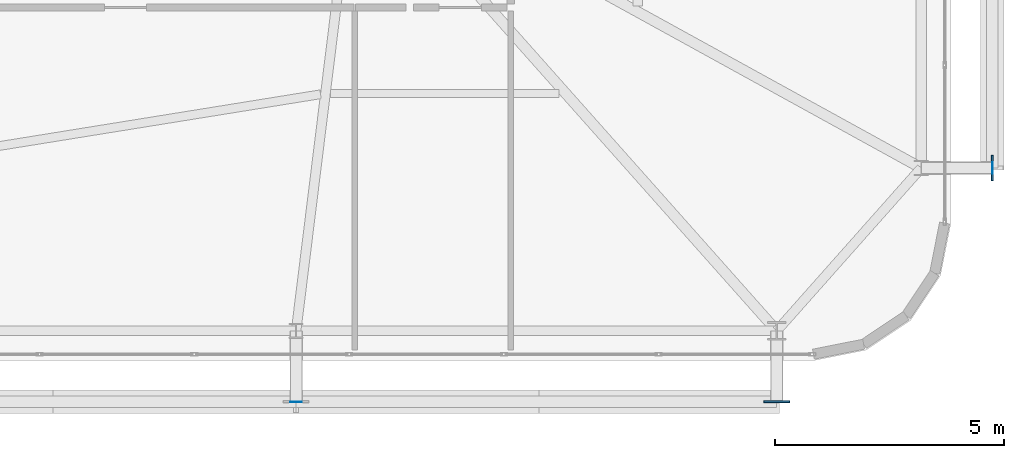
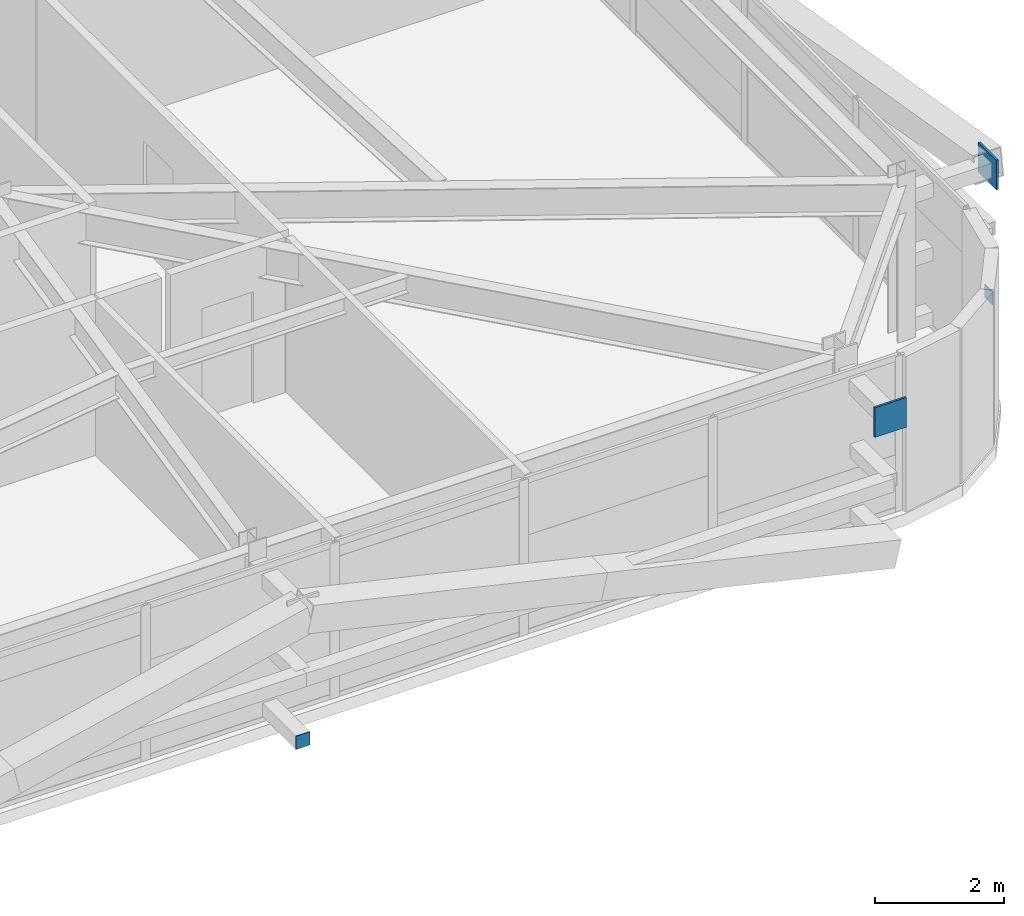
# One storey, part 47 of 59: 4 plates.
"""IFC4 building model written with IfcOpenShell, lengths in metres."""

from ifc_helpers import new_model, si_unit, direction, frame, origin, origin_2d, place, context, subcontext, project, spatial, rectangle, extrude, source, transform, mapped, material, layer, layer_set, type_object, element, save


model = new_model("IFC4")

# Units and contexts
model_context = context("Model", 3, precision=1e-05, world=origin(), true_north=direction((0.0, 1.0)))
body_context = subcontext(model_context, "Body", "Model", "MODEL_VIEW")
ifc_project = project(units=[si_unit("LENGTHUNIT", "METRE"), si_unit("AREAUNIT", "SQUARE_METRE"), si_unit("VOLUMEUNIT", "CUBIC_METRE"), si_unit("PLANEANGLEUNIT", "RADIAN"), si_unit("MASSUNIT", "GRAM", prefix="KILO")], contexts=[model_context])

# Site, building, storey
site_placement = place(None, origin())
site = spatial("IfcSite", under=ifc_project, at=site_placement, CompositionType="ELEMENT")
building_placement = place(site_placement, origin())
building = spatial("IfcBuilding", under=site, at=building_placement, Name="Taldren Reach Tower", CompositionType="ELEMENT")
storey_placement = place(building_placement, frame((0.0, 0.0, 45.14990234375)))
storey = spatial("IfcBuildingStorey", under=building, at=storey_placement, Name="L13", CompositionType="ELEMENT", Elevation=45.14990234375)

# Plates
ifc_material_1 = material(Name="Steel Gr 450 (C450L0)", Category="steel")
ifc_layer_1 = layer(ifc_material_1, 0.0400390625)
ifc_layer_set_1 = layer_set([ifc_layer_1], Name="Steel Gr 450 (C450L0)")
plate_type_1 = type_object("IfcPlateType", Name="PL-GUSSET-40", PredefinedType="SHEET", material=ifc_layer_set_1)
shared_shape_1 = source(origin(), body_context, "Body", "SweptSolid", [
    extrude(rectangle(XDim=0.56005859375, YDim=0.0400390625, at=origin_2d()), origin(), (0.0, 0.0, 1.0), 0.56005859375),
])
for number, where, z_axis, x_axis, name in (
    (1, (61.199951171875, 0.60009765625, 2.3701171875), (0.0, 0.0, 1.0), (1.0, 0.0, 0.0), "Exoskeleton star-node gusset plate B1-S6 L13"),
    (2, (65.89990234375, 5.699951171875, 2.3701171875), (0.0, 0.0, 1.0), (0.0, 1.0, 0.0), "Exoskeleton star-node gusset plate B1-E1 L13"),
):
    element("IfcPlate", number, at=place(storey_placement, frame(where, z_axis=z_axis, x_axis=x_axis)), inside=storey, type_object=plate_type_1, Name=name, PredefinedType="SHEET", context=body_context, shape_type="MappedRepresentation", body=[
        mapped(shared_shape_1, transform((0.0, 0.0, 0.0), scale=1.0)),
    ])
ifc_material_2 = material(Name="Steel Gr 350 (C350L0)", Category="steel")
ifc_layer_2 = layer(ifc_material_2, 0.011962890625)
ifc_layer_set_2 = layer_set([ifc_layer_2], Name="Steel Gr 350 (C350L0)")
plate_type_2 = type_object("IfcPlateType", Name="PL-CAP-250", PredefinedType="SHEET", material=ifc_layer_set_2)
shared_shape_2 = source(origin(), body_context, "Body", "SweptSolid", [
    extrude(rectangle(XDim=0.25, YDim=0.011962890625, at=origin_2d()), origin(), (0.0, 0.0, 1.0), 0.25),
])
plate_1_placement = place(storey_placement, frame((50.719970703125, 0.593994140625, 0.09521484375), z_axis=(0.0, 0.0, 1.0), x_axis=(1.0, 0.0, 0.0)))
element("IfcPlate", 3, at=plate_1_placement, inside=storey, type_object=plate_type_2, Name="Tie strut end cap plate B1-S5 L13", PredefinedType="SHEET", context=body_context, shape_type="MappedRepresentation", body=[
    mapped(shared_shape_2, transform((0.0, 0.0, 0.0), scale=1.0)),
])
shared_shape_3 = source(origin(), body_context, "Body", "SweptSolid", [
    extrude(rectangle(XDim=0.011962890625, YDim=0.25, at=origin_2d()), origin(), (0.0, 0.0, 1.0), 0.25),
])
plate_2_placement = place(storey_placement, frame((65.906005859375, 5.699951171875, 0.09521484375), z_axis=(0.0, 0.0, 1.0), x_axis=(1.0, 0.0, 0.0)))
element("IfcPlate", 4, at=plate_2_placement, inside=storey, type_object=plate_type_2, Name="Tie strut end cap plate B1-E1 L13", PredefinedType="SHEET", context=body_context, shape_type="MappedRepresentation", body=[
    mapped(shared_shape_3, transform((0.0, 0.0, 0.0), scale=1.0)),
])

save(model, "model.ifc")
